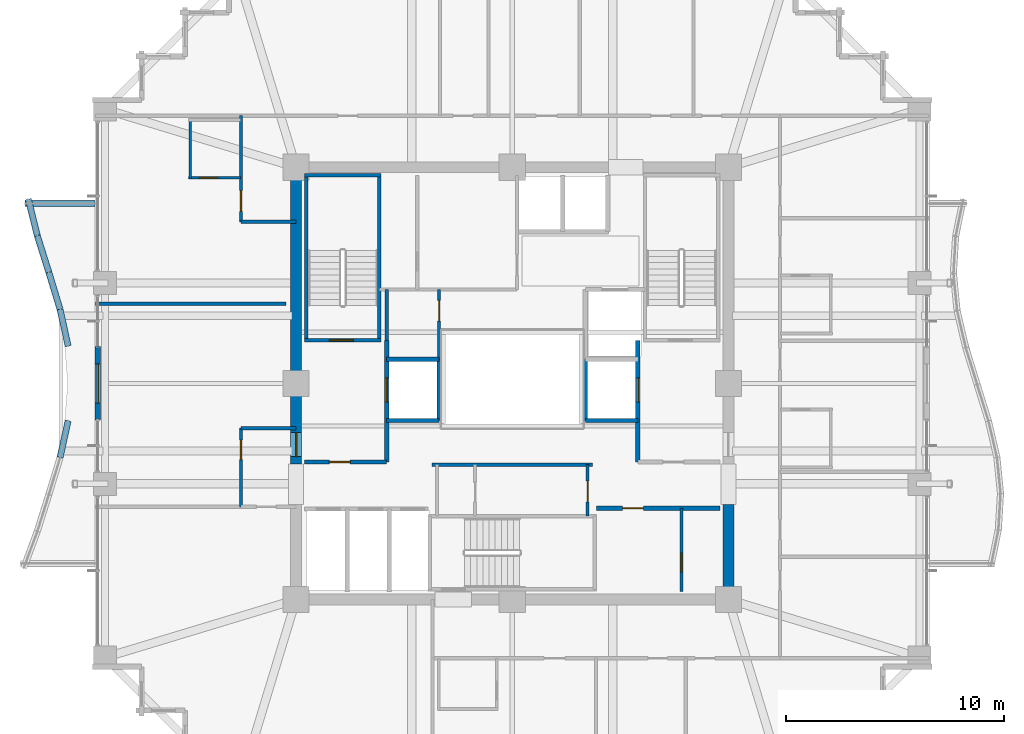
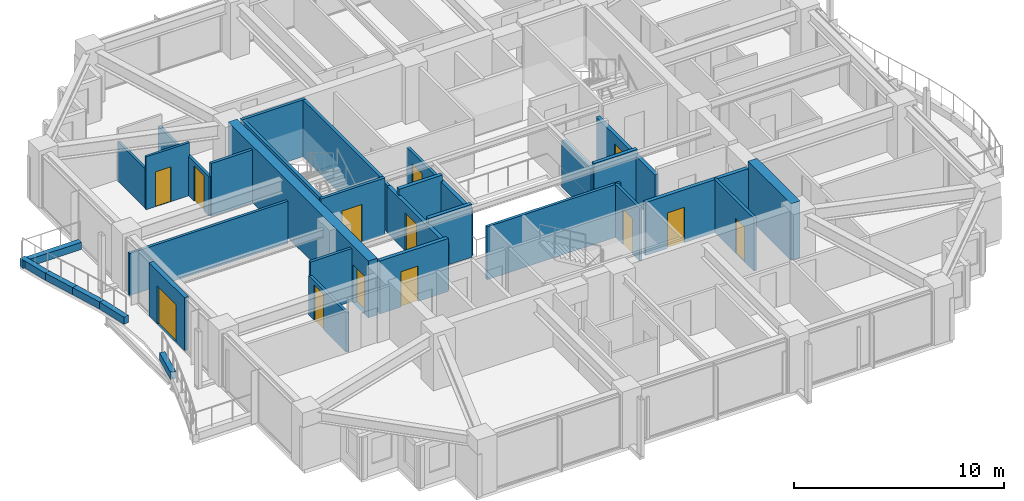
# One storey, part 30 of 35: 34 walls, 13 doors, 13 openings.
"""IFC4 building model written with IfcOpenShell, lengths in metres."""

import ifcopenshell
import ifcopenshell.guid

model = None  # the IFC model being written
_history = None  # IfcOwnerHistory: only IFC2X3 demands one
_inside = {}  # id of a spatial element -> (the spatial element, [elements in it])
_under = {}  # id of a project, library or spatial element -> (it, [spatial elements below it])
_declared = {}  # id of a project -> (the project, [libraries it declares])
_typed = {}  # id of a type object -> (the type object, [elements of that type])
_made_of = {}  # id of a material, layer set ... -> (it, [elements and type objects made of it])


def new_model(schema):
    """Start an empty IFC model of exactly this schema.

    Asked for "IFC4X3", IfcOpenShell would pick the latest addendum, in which some entities
    have other attributes; the version numbers below select the first issue.
    IFC2X3 requires an IfcOwnerHistory on every rooted entity: one is made here for all.
    """
    global model, _history
    if schema == "IFC4X3":
        model = ifcopenshell.file(schema_version=(4, 3, 0, 0))
    else:
        model = ifcopenshell.file(schema=schema)
    _inside.clear()
    _under.clear()
    _declared.clear()
    _typed.clear()
    _made_of.clear()
    _history = None
    if model.schema == "IFC2X3":
        org = make("IfcOrganization", Name="unknown")
        user = make(
            "IfcPersonAndOrganization",
            ThePerson=make("IfcPerson", FamilyName="unknown"),
            TheOrganization=org,
        )
        app = make(
            "IfcApplication",
            ApplicationDeveloper=org,
            Version="unknown",
            ApplicationFullName="unknown",
            ApplicationIdentifier="unknown",
        )
        _history = make(
            "IfcOwnerHistory",
            OwningUser=user,
            OwningApplication=app,
            ChangeAction="ADDED",
            CreationDate=0,
        )
    return model


def make(cls, **values):
    """One entity of the class cls with the attributes given. An attribute that is None is left unset."""
    return model.create_entity(
        cls, **{name: value for name, value in values.items() if value is not None}
    )


def rooted(cls, **values):
    """An entity with a GlobalId (a new one), such as an element, a storey or a relation."""
    return make(cls, GlobalId=ifcopenshell.guid.new(), OwnerHistory=_history, **values)


def si_unit(unit_type, name, prefix=None):
    """IfcSIUnit, for example si_unit("LENGTHUNIT", "METRE", prefix="MILLI")."""
    return make("IfcSIUnit", UnitType=unit_type, Prefix=prefix, Name=name)


def assignment(units):
    """IfcUnitAssignment: the units of a project."""
    return None if units is None else make("IfcUnitAssignment", Units=units)


def point(xyz):
    """IfcCartesianPoint."""
    return None if xyz is None else make("IfcCartesianPoint", Coordinates=xyz)


def direction(xyz):
    """IfcDirection."""
    return None if xyz is None else make("IfcDirection", DirectionRatios=xyz)


def frame(location, z_axis=None, x_axis=None):
    """IfcAxis2Placement3D, a coordinate frame: its origin and axes. An axis left out is left unset."""
    return make(
        "IfcAxis2Placement3D",
        Location=point(location),
        Axis=direction(z_axis),
        RefDirection=direction(x_axis),
    )


def frame_2d(location, x_axis=None):
    """IfcAxis2Placement2D, a coordinate frame in the plane: its origin and x axis."""
    return make(
        "IfcAxis2Placement2D", Location=point(location), RefDirection=direction(x_axis)
    )


def origin():
    """The frame at (0, 0, 0) with its axes left unset."""
    return frame((0.0, 0.0, 0.0))


def place(relative_to, where):
    """IfcLocalPlacement: puts the frame where relative to a parent placement (None: the world)."""
    return make(
        "IfcLocalPlacement", PlacementRelTo=relative_to, RelativePlacement=where
    )


def context(
    kind, dimensions, precision=None, world=None, true_north=None, identifier=None
):
    """IfcGeometricRepresentationContext, for example the 3D "Model" context."""
    return make(
        "IfcGeometricRepresentationContext",
        ContextIdentifier=identifier,
        ContextType=kind,
        CoordinateSpaceDimension=dimensions,
        Precision=precision,
        WorldCoordinateSystem=world,
        TrueNorth=true_north,
    )


def subcontext(parent, identifier, kind, view, scale=None):
    """IfcGeometricRepresentationSubContext, for example "Body" below "Model"."""
    return make(
        "IfcGeometricRepresentationSubContext",
        ContextIdentifier=identifier,
        ContextType=kind,
        ParentContext=parent,
        TargetScale=scale,
        TargetView=view,
    )


def project(units=None, contexts=None):
    """IfcProject with its units and contexts."""
    return rooted(
        "IfcProject",
        Name="project",
        RepresentationContexts=contexts,
        UnitsInContext=assignment(units),
    )


def spatial(cls, under=None, at=None, **own):
    """A site, building, storey or space (cls), placed at a placement, below another one or the project."""
    s = rooted(cls, ObjectPlacement=at, **own)
    if under is not None:
        _under.setdefault(under.id(), (under, []))[1].append(s)
    return s


def profile(cls, at=None, kind="AREA", **sizes):
    """A parametric profile (cls). Its sizes go by their IFC names, for example OverallWidth=200.0."""
    return make(cls, ProfileType=kind, Position=at, **sizes)


def rectangle(**sizes):
    """IfcRectangleProfileDef."""
    return profile("IfcRectangleProfileDef", **sizes)


def extrude(swept, where, along, depth):
    """IfcExtrudedAreaSolid: the profile swept, set in the frame where, extruded along a direction by depth."""
    return make(
        "IfcExtrudedAreaSolid",
        SweptArea=swept,
        Position=where,
        ExtrudedDirection=direction(along),
        Depth=depth,
    )


def shape(context_of_items, identifier, shape_type, items):
    """IfcShapeRepresentation: the items that make up one representation, for example the "Body"."""
    return make(
        "IfcShapeRepresentation",
        ContextOfItems=context_of_items,
        RepresentationIdentifier=identifier,
        RepresentationType=shape_type,
        Items=items,
    )


def material(Name=None, Category=None):
    """IfcMaterial."""
    return make("IfcMaterial", Name=Name, Category=Category)


def layer(
    of_material, thickness, ventilated=None, Name=None, Category=None, Priority=None
):
    """IfcMaterialLayer: one layer of a wall or slab, of a material (None: an air gap)."""
    return make(
        "IfcMaterialLayer",
        Material=of_material,
        LayerThickness=thickness,
        IsVentilated=ventilated,
        Name=Name,
        Category=Category,
        Priority=Priority,
    )


def layer_set(layers, Name=None):
    """IfcMaterialLayerSet."""
    return make("IfcMaterialLayerSet", MaterialLayers=layers, LayerSetName=Name)


def made_of(thing, what):
    """Note that an element or type object is made of a material, layer set ...; save() writes the relation."""
    if what is not None:
        _made_of.setdefault(what.id(), (what, []))[1].append(thing)
    return thing


def type_object(cls, material=None, **own):
    """A type object (cls), such as IfcWallType, which elements share."""
    return made_of(rooted(cls, **own), material)


def element(
    cls,
    number,
    at=None,
    inside=None,
    cuts=None,
    type_object=None,
    material=None,
    context=None,
    identifier="Body",
    shape_type=None,
    held_by="IfcProductDefinitionShape",
    body=None,
    shapes=None,
    **own,
):
    """One element of the class cls, such as IfcWall. Its Tag is "e" and its number.

    at: its placement. inside: the storey or other place that contains it. cuts: it is an
    opening in that element (IfcRelVoidsElement). A single representation is given by context,
    identifier, shape_type and body (its items); several are given by shapes. held_by: the class
    of the entity that holds the representations. save() writes the other relations.
    """
    e = rooted(cls, Tag="e%d" % number, ObjectPlacement=at, **own)
    if body is not None:
        shapes = [shape(context, identifier, shape_type, body)]
    if shapes is not None:
        e.Representation = make(held_by, Representations=shapes)
    if inside is not None:
        _inside.setdefault(inside.id(), (inside, []))[1].append(e)
    if cuts is not None:
        rooted(
            "IfcRelVoidsElement", RelatingBuildingElement=cuts, RelatedOpeningElement=e
        )
    if type_object is not None:
        _typed.setdefault(type_object.id(), (type_object, []))[1].append(e)
    return made_of(e, material)


def fill(opening, filler):
    """IfcRelFillsElement: the door or window that sits in an opening."""
    return rooted(
        "IfcRelFillsElement",
        RelatingOpeningElement=opening,
        RelatedBuildingElement=filler,
    )


def aggregate(whole, parts):
    """IfcRelAggregates: a whole, such as a stair, and the parts it consists of."""
    return rooted("IfcRelAggregates", RelatingObject=whole, RelatedObjects=parts)


def save(model, path):
    """Write the relations noted so far, then the file.

    IfcRelAggregates (storeys below a building ...), IfcRelContainedInSpatialStructure (elements
    in a storey), IfcRelDefinesByType, IfcRelAssociatesMaterial and IfcRelDeclares: one each for
    every whole, place, type object, material and project.
    """
    for whole, parts in _under.values():
        aggregate(whole, parts)
    for where, things in _inside.values():
        rooted(
            "IfcRelContainedInSpatialStructure",
            RelatedElements=things,
            RelatingStructure=where,
        )
    for kind, things in _typed.values():
        rooted("IfcRelDefinesByType", RelatedObjects=things, RelatingType=kind)
    for what, things in _made_of.values():
        rooted("IfcRelAssociatesMaterial", RelatedObjects=things, RelatingMaterial=what)
    for by, libraries in _declared.values():
        rooted("IfcRelDeclares", RelatingContext=by, RelatedDefinitions=libraries)
    model.write(path)


model = new_model("IFC4")

# Units and contexts
model_context = context("Model", 3, precision=1e-05, world=origin(), true_north=direction((0.0, 1.0)))
body_context = subcontext(model_context, "Body", "Model", "MODEL_VIEW")
ifc_project = project(units=[si_unit("LENGTHUNIT", "METRE"), si_unit("AREAUNIT", "SQUARE_METRE"), si_unit("VOLUMEUNIT", "CUBIC_METRE"), si_unit("PLANEANGLEUNIT", "RADIAN"), si_unit("MASSUNIT", "GRAM", prefix="KILO")], contexts=[model_context])

# Site, building, storey
site_placement = place(None, origin())
site = spatial("IfcSite", under=ifc_project, at=site_placement, CompositionType="ELEMENT")
building_placement = place(site_placement, origin())
building = spatial("IfcBuilding", under=site, at=building_placement, Name="Kolvaren Belvedere", CompositionType="ELEMENT")
storey_placement = place(building_placement, frame((0.0, 0.0, 115.10009765625)))
storey = spatial("IfcBuildingStorey", under=building, at=storey_placement, Name="L33", CompositionType="ELEMENT", Elevation=115.10009765625)

# Wall
ifc_material_1 = material(Name="Concrete C50/60", Category="concrete")
ifc_layer_1 = layer(ifc_material_1, 0.5)
ifc_layer_set_1 = layer_set([ifc_layer_1], Name="Concrete C50/60")
wall_type_1 = type_object("IfcWallType", Name="CW-CORE-500", PredefinedType="SHEAR", material=ifc_layer_set_1)
wall_1_placement = place(storey_placement, frame((9.89990234375, -9.64990234375, 0.0), z_axis=(0.0, 0.0, 1.0), x_axis=(0.0, 1.0, 0.0)))
element("IfcWall", 1, at=wall_1_placement, inside=storey, type_object=wall_type_1, Name="L33 East Core Shear Wall 1", PredefinedType="SHEAR", context=body_context, shape_type="SweptSolid", body=[
    extrude(rectangle(XDim=4.099853515625, YDim=0.5, at=frame_2d((2.0498046875, 0.0))), origin(), (0.0, 0.0, 1.0), 3.2998046875),
])

# Wall, opening, door
wall_2_placement = place(storey_placement, frame((-9.89990234375, -3.699951171875, 0.0), z_axis=(0.0, 0.0, 1.0), x_axis=(0.0, 1.0, 0.0)))
wall_2 = element("IfcWall", 2, at=wall_2_placement, inside=storey, type_object=wall_type_1, Name="L33 West Core Shear Wall 2", PredefinedType="SHEAR", context=body_context, shape_type="SweptSolid", body=[
    extrude(rectangle(XDim=13.349853515625, YDim=0.5, at=frame_2d((6.6748046875, 0.0))), origin(), (0.0, 0.0, 1.0), 3.2998046875),
])
opening_1_placement = place(wall_2_placement, frame((0.35009765625, 0.0, 0.0)))
opening_1 = element("IfcOpeningElement", 3, at=opening_1_placement, cuts=wall_2, Name="Opening D-FD90", PredefinedType="OPENING", context=body_context, shape_type="SweptSolid", body=[
    extrude(rectangle(XDim=1.10009765625, YDim=2.199951171875, at=frame_2d((0.550048828125, 1.10009765625))), frame((0.0, 0.260009765625, 0.0), z_axis=(0.0, -1.0, 0.0), x_axis=(1.0, 0.0, 0.0)), (0.0, 0.0, 1.0), 0.52001953125),
])
ifc_material_2 = material(Name="Painted hollow stainless steel", Category="steel")
door_type_1 = type_object("IfcDoorType", Name="DR-FD90-1100", OperationType="NOTDEFINED", PredefinedType="DOOR", material=ifc_material_2)
door_1_placement = place(opening_1_placement, origin())
door_1 = element("IfcDoor", 4, at=door_1_placement, inside=storey, type_object=door_type_1, Name="L33 West Firefighting Lobby Fire Door", OperationType="SINGLE_SWING_LEFT", OverallHeight=2.199951171875, OverallWidth=1.10009765625, PredefinedType="DOOR", context=body_context, shape_type="SweptSolid", body=[
    extrude(rectangle(XDim=1.10009765625, YDim=2.199951171875, at=frame_2d((0.550048828125, 1.10009765625))), frame((0.0, 0.02490234375, 0.0), z_axis=(0.0, -1.0, 0.0), x_axis=(1.0, 0.0, 0.0)), (0.0, 0.0, 1.0), 0.050048828125),
])
fill(opening_1, door_1)

ifc_material_3 = material(Name="Concrete C50/60", Category="concrete")
ifc_layer_2 = layer(ifc_material_3, 0.159912109375)
ifc_layer_set_2 = layer_set([ifc_layer_2], Name="Concrete C50/60")
wall_type_2 = type_object("IfcWallType", Name="CW-STAIR-160", PredefinedType="SHEAR", material=ifc_layer_set_2)
wall_3_placement = place(storey_placement, frame((-9.52001953125, 1.969970703125, 0.0), z_axis=(0.0, 0.0, 1.0), x_axis=(1.0, 0.0, 0.0)))
wall_3 = element("IfcWall", 5, at=wall_3_placement, inside=storey, type_object=wall_type_2, Name="L33 Stair ST-1 South Shear Wall", PredefinedType="SHEAR", context=body_context, shape_type="SweptSolid", body=[
    extrude(rectangle(XDim=3.52001953125, YDim=0.159912109375, at=frame_2d((1.760009765625, 0.0))), origin(), (0.0, 0.0, 1.0), 3.2998046875),
])
opening_2_placement = place(wall_3_placement, frame((1.14990234375, 0.0, 0.0)))
opening_2 = element("IfcOpeningElement", 6, at=opening_2_placement, cuts=wall_3, Name="Opening D-FD90", PredefinedType="OPENING", context=body_context, shape_type="SweptSolid", body=[
    extrude(rectangle(XDim=1.10009765625, YDim=2.199951171875, at=frame_2d((0.550048828125, 1.10009765625))), frame((0.0, 0.08984375, 0.0), z_axis=(0.0, -1.0, 0.0), x_axis=(1.0, 0.0, 0.0)), (0.0, 0.0, 1.0), 0.179931640625),
])
door_2_placement = place(opening_2_placement, origin())
door_2 = element("IfcDoor", 7, at=door_2_placement, inside=storey, type_object=door_type_1, Name="L33 Stair ST-1 Fire Door", OperationType="SINGLE_SWING_LEFT", OverallHeight=2.199951171875, OverallWidth=1.10009765625, PredefinedType="DOOR", context=body_context, shape_type="SweptSolid", body=[
    extrude(rectangle(XDim=1.10009765625, YDim=2.199951171875, at=frame_2d((0.550048828125, 1.10009765625))), frame((0.0, 0.02490234375, 0.0), z_axis=(0.0, -1.0, 0.0), x_axis=(1.0, 0.0, 0.0)), (0.0, 0.0, 1.0), 0.050048828125),
])
fill(opening_2, door_2)

# Walls
wall_4_placement = place(storey_placement, frame((-9.52001953125, 9.530029296875, 0.0), z_axis=(0.0, 0.0, 1.0), x_axis=(1.0, 0.0, 0.0)))
element("IfcWall", 8, at=wall_4_placement, inside=storey, type_object=wall_type_2, Name="L33 Stair ST-1 North Shear Wall", PredefinedType="SHEAR", context=body_context, shape_type="SweptSolid", body=[
    extrude(rectangle(XDim=3.52001953125, YDim=0.159912109375, at=frame_2d((1.760009765625, 0.0))), origin(), (0.0, 0.0, 1.0), 3.2998046875),
])
for number, where, z_axis, x_axis, name in (
    (9, (-9.429931640625, 1.969970703125, 0.0), (0.0, 0.0, 1.0), (0.0, 1.0, 0.0), "L33 Stair ST-1 West Shear Wall"),
    (10, (-6.080078125, 1.969970703125, 0.0), (0.0, 0.0, 1.0), (0.0, 1.0, 0.0), "L33 Stair ST-1 East Shear Wall"),
):
    element("IfcWall", number, at=place(storey_placement, frame(where, z_axis=z_axis, x_axis=x_axis)), inside=storey, type_object=wall_type_2, Name=name, PredefinedType="SHEAR", context=body_context, shape_type="SweptSolid", body=[
        extrude(rectangle(XDim=7.56005859375, YDim=0.159912109375, at=frame_2d((3.780029296875, 0.0))), origin(), (0.0, 0.0, 1.0), 3.2998046875),
    ])

# Wall, opening, door
ifc_material_4 = material(Name="Gypsum fire-rated partition assembly", Category="gypsum")
ifc_layer_3 = layer(ifc_material_4, 0.14990234375)
ifc_layer_set_3 = layer_set([ifc_layer_3], Name="Gypsum fire-rated partition assembly")
wall_type_3 = type_object("IfcWallType", Name="WL-CORR-150", PredefinedType="PARTITIONING", material=ifc_layer_set_3)
wall_5_placement = place(storey_placement, frame((-12.419921875, 7.39990234375, 0.0), z_axis=(0.0, 0.0, 1.0), x_axis=(0.0, 1.0, 0.0)))
wall_5 = element("IfcWall", 11, at=wall_5_placement, inside=storey, type_object=wall_type_3, Name="L33 NW Corridor End Wall", PredefinedType="PARTITIONING", context=body_context, shape_type="SweptSolid", body=[
    extrude(rectangle(XDim=4.860107421875, YDim=0.14990234375, at=frame_2d((2.43017578125, 0.0))), origin(), (0.0, 0.0, 1.0), 2.2919921875),
])
opening_3_placement = place(wall_5_placement, frame((0.48291015625, 0.0, 0.0)))
opening_3 = element("IfcOpeningElement", 12, at=opening_3_placement, cuts=wall_5, Name="Opening D-FD60", PredefinedType="OPENING", context=body_context, shape_type="SweptSolid", body=[
    extrude(rectangle(XDim=0.949951171875, YDim=2.06005859375, at=frame_2d((0.47509765625, 1.030029296875))), frame((0.0, 0.0849609375, 0.0), z_axis=(0.0, -1.0, 0.0), x_axis=(1.0, 0.0, 0.0)), (0.0, 0.0, 1.0), 0.169921875),
])
ifc_material_5 = material(Name="Acoustic white-oak fire door leaf", Category="timber")
door_type_2 = type_object("IfcDoorType", Name="DR-FD60-950", OperationType="NOTDEFINED", PredefinedType="DOOR", material=ifc_material_5)
door_3_placement = place(opening_3_placement, origin())
door_3 = element("IfcDoor", 13, at=door_3_placement, inside=storey, type_object=door_type_2, Name="L33 Botanical Hospitality Suite 3309 Entry Door", OperationType="SINGLE_SWING_LEFT", OverallHeight=2.06005859375, OverallWidth=0.949951171875, PredefinedType="DOOR", context=body_context, shape_type="SweptSolid", body=[
    extrude(rectangle(XDim=0.949951171875, YDim=2.06005859375, at=frame_2d((0.47509765625, 1.030029296875))), frame((0.0, 0.02490234375, 0.0), z_axis=(0.0, -1.0, 0.0), x_axis=(1.0, 0.0, 0.0)), (0.0, 0.0, 1.0), 0.050048828125),
])
fill(opening_3, door_3)

# Wall
wall_6_placement = place(storey_placement, frame((-12.419921875, 7.39990234375, 0.0), z_axis=(0.0, 0.0, 1.0), x_axis=(1.0, 0.0, 0.0)))
element("IfcWall", 14, at=wall_6_placement, inside=storey, type_object=wall_type_3, Name="L33 NW Core Closure Wall", PredefinedType="PARTITIONING", context=body_context, shape_type="SweptSolid", body=[
    extrude(rectangle(XDim=2.52001953125, YDim=0.14990234375, at=frame_2d((1.260009765625, 0.0))), origin(), (0.0, 0.0, 1.0), 3.079833984375),
])

# Wall, opening, door
wall_7_placement = place(storey_placement, frame((-12.419921875, -5.64990234375, 0.0), z_axis=(0.0, 0.0, 1.0), x_axis=(0.0, 1.0, 0.0)))
wall_7 = element("IfcWall", 15, at=wall_7_placement, inside=storey, type_object=wall_type_3, Name="L33 West FSAE Pocket Wall", PredefinedType="PARTITIONING", context=body_context, shape_type="SweptSolid", body=[
    extrude(rectangle(XDim=3.599853515625, YDim=0.14990234375, at=frame_2d((1.7998046875, 0.0))), origin(), (0.0, 0.0, 1.0), 2.2919921875),
])
opening_4_placement = place(wall_7_placement, frame((2.15625, 0.0, 0.0)))
opening_4 = element("IfcOpeningElement", 16, at=opening_4_placement, cuts=wall_7, Name="Opening D-INT90", PredefinedType="OPENING", context=body_context, shape_type="SweptSolid", body=[
    extrude(rectangle(XDim=0.89990234375, YDim=2.06005859375, at=frame_2d((0.449951171875, 1.030029296875))), frame((0.0, 0.0849609375, 0.0), z_axis=(0.0, -1.0, 0.0), x_axis=(1.0, 0.0, 0.0)), (0.0, 0.0, 1.0), 0.169921875),
])
ifc_material_6 = material(Name="Stained Pacific white oak", Category="timber")
door_type_3 = type_object("IfcDoorType", Name="DR-INT-900", OperationType="NOTDEFINED", PredefinedType="DOOR", material=ifc_material_6)
door_4_placement = place(opening_4_placement, origin())
door_4 = element("IfcDoor", 17, at=door_4_placement, inside=storey, type_object=door_type_3, Name="L33 Lounge 3310 Door", OperationType="SINGLE_SWING_RIGHT", OverallHeight=2.06005859375, OverallWidth=0.89990234375, PredefinedType="DOOR", context=body_context, shape_type="SweptSolid", body=[
    extrude(rectangle(XDim=0.89990234375, YDim=2.06005859375, at=frame_2d((0.449951171875, 1.030029296875))), frame((0.0, 0.02490234375, 0.0), z_axis=(0.0, -1.0, 0.0), x_axis=(1.0, 0.0, 0.0)), (0.0, 0.0, 1.0), 0.050048828125),
])
fill(opening_4, door_4)

# Wall
wall_8_placement = place(storey_placement, frame((-12.419921875, -2.050048828125, 0.0), z_axis=(0.0, 0.0, 1.0), x_axis=(1.0, 0.0, 0.0)))
element("IfcWall", 18, at=wall_8_placement, inside=storey, type_object=wall_type_3, Name="L33 West Pocket North Closure Wall", PredefinedType="PARTITIONING", context=body_context, shape_type="SweptSolid", body=[
    extrude(rectangle(XDim=2.52001953125, YDim=0.14990234375, at=frame_2d((1.260009765625, 0.0))), origin(), (0.0, 0.0, 1.0), 3.079833984375),
])

# Wall, opening, door
ifc_material_7 = material(Name="Insulated pale-metal facade wall assembly", Category="aluminium")
ifc_layer_4 = layer(ifc_material_7, 0.239990234375)
ifc_layer_set_4 = layer_set([ifc_layer_4], Name="Insulated pale-metal facade wall assembly")
wall_type_4 = type_object("IfcWallType", Name="WL-EXT-240", PredefinedType="STANDARD", material=ifc_layer_set_4)
wall_9_placement = place(storey_placement, frame((-18.97998046875, -1.679931640625, 0.0), z_axis=(0.0, 0.0, 1.0), x_axis=(0.0, 1.0, 0.0)))
wall_9 = element("IfcWall", 19, at=wall_9_placement, inside=storey, type_object=wall_type_4, Name="L33 West Terrace Portal Wall", PredefinedType="STANDARD", context=body_context, shape_type="SweptSolid", body=[
    extrude(rectangle(XDim=3.35986328125, YDim=0.239990234375, at=frame_2d((1.679931640625, 0.0))), origin(), (0.0, 0.0, 1.0), 3.079833984375),
])
opening_5_placement = place(wall_9_placement, frame((0.780029296875, 0.0, 0.0)))
opening_5 = element("IfcOpeningElement", 20, at=opening_5_placement, cuts=wall_9, Name="Opening DB-1800", PredefinedType="OPENING", context=body_context, shape_type="SweptSolid", body=[
    extrude(rectangle(XDim=1.800048828125, YDim=2.199951171875, at=frame_2d((0.89990234375, 1.10009765625))), frame((0.0, 0.1298828125, 0.0), z_axis=(0.0, -1.0, 0.0), x_axis=(1.0, 0.0, 0.0)), (0.0, 0.0, 1.0), 0.260009765625),
])
ifc_material_8 = material(Name="Thermally broken pale-metal aluminium & low-iron glass", Category="aluminium")
door_type_4 = type_object("IfcDoorType", Name="DR-BAL-1800", OperationType="DOUBLE_DOOR_SLIDING", PredefinedType="DOOR", material=ifc_material_8)
door_5_placement = place(opening_5_placement, origin())
door_5 = element("IfcDoor", 21, at=door_5_placement, inside=storey, type_object=door_type_4, Name="L33 West Planted Terrace Sliding Door", OperationType="DOUBLE_DOOR_SLIDING", OverallHeight=2.199951171875, OverallWidth=1.800048828125, PredefinedType="DOOR", context=body_context, shape_type="SweptSolid", body=[
    extrude(rectangle(XDim=1.800048828125, YDim=2.199951171875, at=frame_2d((0.89990234375, 1.10009765625))), frame((0.0, 0.02490234375, 0.0), z_axis=(0.0, -1.0, 0.0), x_axis=(1.0, 0.0, 0.0)), (0.0, 0.0, 1.0), 0.050048828125),
])
fill(opening_5, door_5)

ifc_material_9 = material(Name="Gypsum acoustic partition assembly", Category="gypsum")
ifc_layer_5 = layer(ifc_material_9, 0.14990234375)
ifc_layer_set_5 = layer_set([ifc_layer_5], Name="Gypsum acoustic partition assembly")
wall_type_5 = type_object("IfcWallType", Name="WL-PART-150", PredefinedType="PARTITIONING", material=ifc_layer_set_5)
wall_10_placement = place(storey_placement, frame((7.75, -9.52001953125, 0.0), z_axis=(0.0, 0.0, 1.0), x_axis=(0.0, 1.0, 0.0)))
wall_10 = element("IfcWall", 22, at=wall_10_placement, inside=storey, type_object=wall_type_5, Name="L33 SE Core Asymmetric Divider", PredefinedType="PARTITIONING", context=body_context, shape_type="SweptSolid", body=[
    extrude(rectangle(XDim=3.800048828125, YDim=0.14990234375, at=frame_2d((1.89990234375, 0.0))), origin(), (0.0, 0.0, 1.0), 3.079833984375),
])
opening_6_placement = place(wall_10_placement, frame((0.89990234375, 0.0, 0.0)))
opening_6 = element("IfcOpeningElement", 23, at=opening_6_placement, cuts=wall_10, Name="Opening D-INT85", PredefinedType="OPENING", context=body_context, shape_type="SweptSolid", body=[
    extrude(rectangle(XDim=0.85009765625, YDim=2.030029296875, at=frame_2d((0.425048828125, 1.01513671875))), frame((0.0, 0.0849609375, 0.0), z_axis=(0.0, -1.0, 0.0), x_axis=(1.0, 0.0, 0.0)), (0.0, 0.0, 1.0), 0.169921875),
])
ifc_material_10 = material(Name="Stained Pacific white oak", Category="timber")
door_type_5 = type_object("IfcDoorType", Name="DR-INT-850", OperationType="NOTDEFINED", PredefinedType="DOOR", material=ifc_material_10)
door_6_placement = place(opening_6_placement, origin())
door_6 = element("IfcDoor", 24, at=door_6_placement, inside=storey, type_object=door_type_5, Name="L33 SE Janitor Door", OperationType="SINGLE_SWING_LEFT", OverallHeight=2.030029296875, OverallWidth=0.85009765625, PredefinedType="DOOR", context=body_context, shape_type="SweptSolid", body=[
    extrude(rectangle(XDim=0.85009765625, YDim=2.030029296875, at=frame_2d((0.425048828125, 1.01513671875))), frame((0.0, 0.02490234375, 0.0), z_axis=(0.0, -1.0, 0.0), x_axis=(1.0, 0.0, 0.0)), (0.0, 0.0, 1.0), 0.050048828125),
])
fill(opening_6, door_6)

# Wall
wall_11_placement = place(storey_placement, frame((-3.679931640625, -3.719970703125, 0.0), z_axis=(0.0, 0.0, 1.0), x_axis=(1.0, 0.0, 0.0)))
element("IfcWall", 25, at=wall_11_placement, inside=storey, type_object=wall_type_5, Name="L33 South Core Service North Wall", PredefinedType="PARTITIONING", context=body_context, shape_type="SweptSolid", body=[
    extrude(rectangle(XDim=7.35986328125, YDim=0.14990234375, at=frame_2d((3.679931640625, 0.0))), origin(), (0.0, 0.0, 1.0), 3.079833984375),
])

# Wall, opening, door
wall_12_placement = place(storey_placement, frame((3.449951171875, -6.080078125, 0.0), z_axis=(0.0, 0.0, 1.0), x_axis=(0.0, 1.0, 0.0)))
wall_12 = element("IfcWall", 26, at=wall_12_placement, inside=storey, type_object=wall_type_5, Name="L33 South Core Service East Wall", PredefinedType="PARTITIONING", context=body_context, shape_type="SweptSolid", body=[
    extrude(rectangle(XDim=2.360107421875, YDim=0.14990234375, at=frame_2d((1.18017578125, 0.0))), origin(), (0.0, 0.0, 1.0), 3.079833984375),
])
opening_7_placement = place(wall_12_placement, frame((0.64990234375, 0.0, 0.0)))
opening_7 = element("IfcOpeningElement", 27, at=opening_7_placement, cuts=wall_12, Name="Opening D-FD60", PredefinedType="OPENING", context=body_context, shape_type="SweptSolid", body=[
    extrude(rectangle(XDim=0.949951171875, YDim=2.06005859375, at=frame_2d((0.47509765625, 1.030029296875))), frame((0.0, 0.0849609375, 0.0), z_axis=(0.0, -1.0, 0.0), x_axis=(1.0, 0.0, 0.0)), (0.0, 0.0, 1.0), 0.169921875),
])
door_7_placement = place(opening_7_placement, origin())
door_7 = element("IfcDoor", 28, at=door_7_placement, inside=storey, type_object=door_type_2, Name="L33 Core Service Room Door", OperationType="SINGLE_SWING_LEFT", OverallHeight=2.06005859375, OverallWidth=0.949951171875, PredefinedType="DOOR", context=body_context, shape_type="SweptSolid", body=[
    extrude(rectangle(XDim=0.949951171875, YDim=2.06005859375, at=frame_2d((0.47509765625, 1.030029296875))), frame((0.0, 0.02490234375, 0.0), z_axis=(0.0, -1.0, 0.0), x_axis=(1.0, 0.0, 0.0)), (0.0, 0.0, 1.0), 0.050048828125),
])
fill(opening_7, door_7)

wall_13_placement = place(storey_placement, frame((-3.35009765625, 1.10009765625, 0.0), z_axis=(0.0, 0.0, 1.0), x_axis=(0.0, 1.0, 0.0)))
wall_13 = element("IfcWall", 29, at=wall_13_placement, inside=storey, type_object=wall_type_5, Name="L33 NW Service Room East Wall", PredefinedType="PARTITIONING", context=body_context, shape_type="SweptSolid", body=[
    extrude(rectangle(XDim=3.199951171875, YDim=0.14990234375, at=frame_2d((1.60009765625, 0.0))), origin(), (0.0, 0.0, 1.0), 2.71484375),
])
opening_8_placement = place(wall_13_placement, frame((1.75, 0.0, 0.0)))
opening_8 = element("IfcOpeningElement", 30, at=opening_8_placement, cuts=wall_13, Name="Opening D-FD60", PredefinedType="OPENING", context=body_context, shape_type="SweptSolid", body=[
    extrude(rectangle(XDim=0.949951171875, YDim=2.06005859375, at=frame_2d((0.47509765625, 1.030029296875))), frame((0.0, 0.0849609375, 0.0), z_axis=(0.0, -1.0, 0.0), x_axis=(1.0, 0.0, 0.0)), (0.0, 0.0, 1.0), 0.169921875),
])
door_8_placement = place(opening_8_placement, origin())
door_8 = element("IfcDoor", 31, at=door_8_placement, inside=storey, type_object=door_type_2, Name="L33 NW Core Store Door", OperationType="SINGLE_SWING_LEFT", OverallHeight=2.06005859375, OverallWidth=0.949951171875, PredefinedType="DOOR", context=body_context, shape_type="SweptSolid", body=[
    extrude(rectangle(XDim=0.949951171875, YDim=2.06005859375, at=frame_2d((0.47509765625, 1.030029296875))), frame((0.0, 0.02490234375, 0.0), z_axis=(0.0, -1.0, 0.0), x_axis=(1.0, 0.0, 0.0)), (0.0, 0.0, 1.0), 0.050048828125),
])
fill(opening_8, door_8)

# Walls
wall_14_placement = place(storey_placement, frame((-5.75, 1.969970703125, 0.0), z_axis=(0.0, 0.0, 1.0), x_axis=(0.0, 1.0, 0.0)))
element("IfcWall", 32, at=wall_14_placement, inside=storey, type_object=wall_type_5, Name="L33 NW Service Room West Wall", PredefinedType="PARTITIONING", context=body_context, shape_type="SweptSolid", body=[
    extrude(rectangle(XDim=2.330078125, YDim=0.14990234375, at=frame_2d((1.1650390625, 0.0))), origin(), (0.0, 0.0, 1.0), 2.71484375),
])
wall_15_placement = place(storey_placement, frame((-19.080078125, 3.64990234375, 0.0), z_axis=(0.0, 0.0, 1.0), x_axis=(1.0, 0.0, 0.0)))
element("IfcWall", 33, at=wall_15_placement, inside=storey, type_object=wall_type_5, Name="L33 West Upper Suite Divider", PredefinedType="PARTITIONING", context=body_context, shape_type="SweptSolid", body=[
    extrude(rectangle(XDim=8.719970703125, YDim=0.14990234375, at=frame_2d((4.35986328125, 0.0))), origin(), (0.0, 0.0, 1.0), 2.448974609375),
])
ifc_material_11 = material(Name="Precast concrete C40/50", Category="concrete")
ifc_layer_6 = layer(ifc_material_11, 0.300048828125)
ifc_layer_set_6 = layer_set([ifc_layer_6], Name="Precast concrete C40/50")
wall_type_6 = type_object("IfcWallType", Name="WL-PLANTER-300", PredefinedType="PARAPET", material=ifc_layer_set_6)
wall_16_placement = place(storey_placement, frame((-22.158203125, 8.438232421875, -0.0400390625), z_axis=(0.0, 0.0, 1.0), x_axis=(0.239180748277, -0.970975061293, 0.0)))
element("IfcWall", 34, at=wall_16_placement, inside=storey, type_object=wall_type_6, Name="L33 Precast Structural Planter Wall BAL-W-1", PredefinedType="PARAPET", context=body_context, shape_type="SweptSolid", body=[
    extrude(rectangle(XDim=1.730224609375, YDim=0.280029296875, at=frame_2d((0.865234375, 0.0))), origin(), (0.0, 0.0, 1.0), 0.419921875),
])
wall_17_placement = place(storey_placement, frame((-21.747314453125, 6.767822265625, -0.0400390625), z_axis=(0.0, 0.0, 1.0), x_axis=(0.299750886874, -0.95401750813, 0.0)))
element("IfcWall", 35, at=wall_17_placement, inside=storey, type_object=wall_type_6, Name="L33 Precast Structural Planter Wall BAL-W-2", PredefinedType="PARAPET", context=body_context, shape_type="SweptSolid", body=[
    extrude(rectangle(XDim=1.760986328125, YDim=0.280029296875, at=frame_2d((0.88037109375, 0.0))), origin(), (0.0, 0.0, 1.0), 0.419921875),
])
wall_18_placement = place(storey_placement, frame((-21.218994140625, 5.086669921875, -0.0400390625), z_axis=(0.0, 0.0, 1.0), x_axis=(0.290840734999, -0.956771481005, 0.0)))
element("IfcWall", 36, at=wall_18_placement, inside=storey, type_object=wall_type_6, Name="L33 Precast Structural Planter Wall BAL-W-3", PredefinedType="PARAPET", context=body_context, shape_type="SweptSolid", body=[
    extrude(rectangle(XDim=1.756103515625, YDim=0.280029296875, at=frame_2d((0.8779296875, 0.0))), origin(), (0.0, 0.0, 1.0), 0.419921875),
])
for number, where, z_axis, x_axis, name in (
    (37, (-20.705078125, 3.394287109375, -0.0400390625), (0.0, 0.0, 1.0), (0.213773077423, -0.976883345835, 0.0), "L33 Precast Structural Planter Wall BAL-W-4"),
    (38, (-20.33740234375, -1.714111328125, -0.0400390625), (0.0, 0.0, 1.0), (-0.213773077423, -0.976883345835, 0.0), "L33 Precast Structural Planter Wall BAL-W-7"),
):
    element("IfcWall", number, at=place(storey_placement, frame(where, z_axis=z_axis, x_axis=x_axis)), inside=storey, type_object=wall_type_6, Name=name, PredefinedType="PARAPET", context=body_context, shape_type="SweptSolid", body=[
        extrude(rectangle(XDim=1.719970703125, YDim=0.280029296875, at=frame_2d((0.85986328125, 0.0))), origin(), (0.0, 0.0, 1.0), 0.419921875),
    ])
wall_19_placement = place(storey_placement, frame((-19.10009765625, 8.239990234375, -0.0400390625), z_axis=(0.0, 0.0, 1.0), x_axis=(-1.0, 0.0, 0.0)))
element("IfcWall", 39, at=wall_19_placement, inside=storey, type_object=wall_type_6, Name="L33 Precast Structural Planter Wall BAL-W-22", PredefinedType="PARAPET", context=body_context, shape_type="SweptSolid", body=[
    extrude(rectangle(XDim=3.213623046875, YDim=0.280029296875, at=frame_2d((1.60693359375, 0.0))), origin(), (0.0, 0.0, 1.0), 0.419921875),
])

# Wall, opening, door
ifc_material_12 = material(Name="Concrete C50/60", Category="concrete")
ifc_layer_7 = layer(ifc_material_12, 0.199951171875)
ifc_layer_set_7 = layer_set([ifc_layer_7], Name="Concrete C50/60")
wall_type_7 = type_object("IfcWallType", Name="WL-SHAFT-200", PredefinedType="SOLIDWALL", material=ifc_layer_set_7)
wall_20_placement = place(storey_placement, frame((-9.52001953125, -3.60009765625, 0.0), z_axis=(0.0, 0.0, 1.0), x_axis=(1.0, 0.0, 0.0)))
wall_20 = element("IfcWall", 40, at=wall_20_placement, inside=storey, type_object=wall_type_7, Name="L33 West FSAE Lobby South Wall", PredefinedType="SOLIDWALL", context=body_context, shape_type="SweptSolid", body=[
    extrude(rectangle(XDim=3.77001953125, YDim=0.199951171875, at=frame_2d((1.885009765625, 0.0))), origin(), (0.0, 0.0, 1.0), 3.079833984375),
])
opening_9_placement = place(wall_20_placement, frame((1.14990234375, 0.0, 0.0)))
opening_9 = element("IfcOpeningElement", 41, at=opening_9_placement, cuts=wall_20, Name="Opening D-FD60", PredefinedType="OPENING", context=body_context, shape_type="SweptSolid", body=[
    extrude(rectangle(XDim=0.949951171875, YDim=2.06005859375, at=frame_2d((0.47509765625, 1.030029296875))), frame((0.0, 0.10986328125, 0.0), z_axis=(0.0, -1.0, 0.0), x_axis=(1.0, 0.0, 0.0)), (0.0, 0.0, 1.0), 0.219970703125),
])
door_9_placement = place(opening_9_placement, origin())
door_9 = element("IfcDoor", 42, at=door_9_placement, inside=storey, type_object=door_type_2, Name="L33 Mid-Rise Lift Lobby Fire Door", OperationType="SINGLE_SWING_LEFT", OverallHeight=2.06005859375, OverallWidth=0.949951171875, PredefinedType="DOOR", context=body_context, shape_type="SweptSolid", body=[
    extrude(rectangle(XDim=0.949951171875, YDim=2.06005859375, at=frame_2d((0.47509765625, 1.030029296875))), frame((0.0, 0.02490234375, 0.0), z_axis=(0.0, -1.0, 0.0), x_axis=(1.0, 0.0, 0.0)), (0.0, 0.0, 1.0), 0.050048828125),
])
fill(opening_9, door_9)

wall_21_placement = place(storey_placement, frame((-5.75, -3.60009765625, 0.0), z_axis=(0.0, 0.0, 1.0), x_axis=(0.0, 1.0, 0.0)))
wall_21 = element("IfcWall", 43, at=wall_21_placement, inside=storey, type_object=wall_type_7, Name="L33 FSAE FS1 Landing Wall", PredefinedType="SOLIDWALL", context=body_context, shape_type="SweptSolid", body=[
    extrude(rectangle(XDim=5.570068359375, YDim=0.199951171875, at=frame_2d((2.78515625, 0.0))), origin(), (0.0, 0.0, 1.0), 2.71484375),
])
opening_10_placement = place(wall_21_placement, frame((2.75, 0.0, 0.0)))
opening_10 = element("IfcOpeningElement", 44, at=opening_10_placement, cuts=wall_21, Name="Opening LD-11", PredefinedType="OPENING", context=body_context, shape_type="SweptSolid", body=[
    extrude(rectangle(XDim=1.10009765625, YDim=2.199951171875, at=frame_2d((0.550048828125, 1.10009765625))), frame((0.0, 0.10986328125, 0.0), z_axis=(0.0, -1.0, 0.0), x_axis=(1.0, 0.0, 0.0)), (0.0, 0.0, 1.0), 0.219970703125),
])
ifc_material_13 = material(Name="Brushed stainless steel", Category="steel")
door_type_6 = type_object("IfcDoorType", Name="DR-LIFT-1100", OperationType="DOUBLE_DOOR_SLIDING", PredefinedType="DOOR", material=ifc_material_13)
door_10_placement = place(opening_10_placement, origin())
door_10 = element("IfcDoor", 45, at=door_10_placement, inside=storey, type_object=door_type_6, Name="L33 Firefighting Lift FS1 Landing Door", OperationType="DOUBLE_DOOR_SLIDING", OverallHeight=2.199951171875, OverallWidth=1.10009765625, PredefinedType="DOOR", context=body_context, shape_type="SweptSolid", body=[
    extrude(rectangle(XDim=1.10009765625, YDim=2.199951171875, at=frame_2d((0.550048828125, 1.10009765625))), frame((0.0, 0.02490234375, 0.0), z_axis=(0.0, -1.0, 0.0), x_axis=(1.0, 0.0, 0.0)), (0.0, 0.0, 1.0), 0.050048828125),
])
fill(opening_10, door_10)

# Walls
wall_22_placement = place(storey_placement, frame((-3.35009765625, -1.699951171875, 0.0), z_axis=(0.0, 0.0, 1.0), x_axis=(0.0, 1.0, 0.0)))
element("IfcWall", 46, at=wall_22_placement, inside=storey, type_object=wall_type_7, Name="L33 FSAE FS1 Back Wall", PredefinedType="SOLIDWALL", context=body_context, shape_type="SweptSolid", body=[
    extrude(rectangle(XDim=2.800048828125, YDim=0.199951171875, at=frame_2d((1.39990234375, 0.0))), origin(), (0.0, 0.0, 1.0), 2.71484375),
])
for number, where, z_axis, x_axis, name in (
    (47, (-5.75, -1.699951171875, 0.0), (0.0, 0.0, 1.0), (1.0, 0.0, 0.0), "L33 FSAE FS1 South Wall"),
    (48, (-5.75, 1.10009765625, 0.0), (0.0, 0.0, 1.0), (1.0, 0.0, 0.0), "L33 FSAE FS1 North Wall"),
):
    element("IfcWall", number, at=place(storey_placement, frame(where, z_axis=z_axis, x_axis=x_axis)), inside=storey, type_object=wall_type_7, Name=name, PredefinedType="SOLIDWALL", context=body_context, shape_type="SweptSolid", body=[
        extrude(rectangle(XDim=2.39990234375, YDim=0.199951171875, at=frame_2d((1.199951171875, 0.0))), origin(), (0.0, 0.0, 1.0), 3.079833984375),
    ])

# Wall, opening, door
wall_23_placement = place(storey_placement, frame((5.75, -3.60009765625, 0.0), z_axis=(0.0, 0.0, 1.0), x_axis=(0.0, 1.0, 0.0)))
wall_23 = element("IfcWall", 49, at=wall_23_placement, inside=storey, type_object=wall_type_7, Name="L33 FSAE FS2 Landing Wall", PredefinedType="SOLIDWALL", context=body_context, shape_type="SweptSolid", body=[
    extrude(rectangle(XDim=5.570068359375, YDim=0.199951171875, at=frame_2d((2.78515625, 0.0))), origin(), (0.0, 0.0, 1.0), 2.71484375),
])
opening_11_placement = place(wall_23_placement, frame((2.75, 0.0, 0.0)))
opening_11 = element("IfcOpeningElement", 50, at=opening_11_placement, cuts=wall_23, Name="Opening LD-11", PredefinedType="OPENING", context=body_context, shape_type="SweptSolid", body=[
    extrude(rectangle(XDim=1.10009765625, YDim=2.199951171875, at=frame_2d((0.550048828125, 1.10009765625))), frame((0.0, 0.10986328125, 0.0), z_axis=(0.0, -1.0, 0.0), x_axis=(1.0, 0.0, 0.0)), (0.0, 0.0, 1.0), 0.219970703125),
])
door_11_placement = place(opening_11_placement, origin())
door_11 = element("IfcDoor", 51, at=door_11_placement, inside=storey, type_object=door_type_6, Name="L33 Firefighting Lift FS2 Landing Door", OperationType="DOUBLE_DOOR_SLIDING", OverallHeight=2.199951171875, OverallWidth=1.10009765625, PredefinedType="DOOR", context=body_context, shape_type="SweptSolid", body=[
    extrude(rectangle(XDim=1.10009765625, YDim=2.199951171875, at=frame_2d((0.550048828125, 1.10009765625))), frame((0.0, 0.02490234375, 0.0), z_axis=(0.0, -1.0, 0.0), x_axis=(1.0, 0.0, 0.0)), (0.0, 0.0, 1.0), 0.050048828125),
])
fill(opening_11, door_11)

# Walls
wall_24_placement = place(storey_placement, frame((3.35009765625, -1.699951171875, 0.0), z_axis=(0.0, 0.0, 1.0), x_axis=(0.0, 1.0, 0.0)))
element("IfcWall", 52, at=wall_24_placement, inside=storey, type_object=wall_type_7, Name="L33 FSAE FS2 Back Wall", PredefinedType="SOLIDWALL", context=body_context, shape_type="SweptSolid", body=[
    extrude(rectangle(XDim=2.800048828125, YDim=0.199951171875, at=frame_2d((1.39990234375, 0.0))), origin(), (0.0, 0.0, 1.0), 2.71484375),
])
wall_25_placement = place(storey_placement, frame((3.35009765625, -1.699951171875, 0.0), z_axis=(0.0, 0.0, 1.0), x_axis=(1.0, 0.0, 0.0)))
element("IfcWall", 53, at=wall_25_placement, inside=storey, type_object=wall_type_7, Name="L33 FSAE FS2 South Wall", PredefinedType="SOLIDWALL", context=body_context, shape_type="SweptSolid", body=[
    extrude(rectangle(XDim=2.39990234375, YDim=0.199951171875, at=frame_2d((1.199951171875, 0.0))), origin(), (0.0, 0.0, 1.0), 3.079833984375),
])

# Wall, opening, door
wall_26_placement = place(storey_placement, frame((3.860107421875, -5.719970703125, 0.0), z_axis=(0.0, 0.0, 1.0), x_axis=(1.0, 0.0, 0.0)))
wall_26 = element("IfcWall", 54, at=wall_26_placement, inside=storey, type_object=wall_type_7, Name="L33 SE Core Distribution Wall", PredefinedType="SOLIDWALL", context=body_context, shape_type="SweptSolid", body=[
    extrude(rectangle(XDim=5.659912109375, YDim=0.199951171875, at=frame_2d((2.830078125, 0.0))), origin(), (0.0, 0.0, 1.0), 3.079833984375),
])
opening_12_placement = place(wall_26_placement, frame((1.199951171875, 0.0, 0.0)))
opening_12 = element("IfcOpeningElement", 55, at=opening_12_placement, cuts=wall_26, Name="Opening D-FD60", PredefinedType="OPENING", context=body_context, shape_type="SweptSolid", body=[
    extrude(rectangle(XDim=0.949951171875, YDim=2.06005859375, at=frame_2d((0.47509765625, 1.030029296875))), frame((0.0, 0.10986328125, 0.0), z_axis=(0.0, -1.0, 0.0), x_axis=(1.0, 0.0, 0.0)), (0.0, 0.0, 1.0), 0.219970703125),
])
door_12_placement = place(opening_12_placement, origin())
door_12 = element("IfcDoor", 56, at=door_12_placement, inside=storey, type_object=door_type_2, Name="L33 SE BMS Store Door", OperationType="SINGLE_SWING_RIGHT", OverallHeight=2.06005859375, OverallWidth=0.949951171875, PredefinedType="DOOR", context=body_context, shape_type="SweptSolid", body=[
    extrude(rectangle(XDim=0.949951171875, YDim=2.06005859375, at=frame_2d((0.47509765625, 1.030029296875))), frame((0.0, 0.02490234375, 0.0), z_axis=(0.0, -1.0, 0.0), x_axis=(1.0, 0.0, 0.0)), (0.0, 0.0, 1.0), 0.050048828125),
])
fill(opening_12, door_12)

ifc_material_14 = material(Name="Moisture-resistant gypsum partition", Category="gypsum")
ifc_layer_8 = layer(ifc_material_14, 0.125)
ifc_layer_set_8 = layer_set([ifc_layer_8], Name="Moisture-resistant gypsum partition")
wall_type_8 = type_object("IfcWallType", Name="WL-WET-125", PredefinedType="PARTITIONING", material=ifc_layer_set_8)
wall_27_placement = place(storey_placement, frame((-14.824951171875, 9.4150390625, 0.0), z_axis=(0.0, 0.0, 1.0), x_axis=(1.0, 0.0, 0.0)))
wall_27 = element("IfcWall", 57, at=wall_27_placement, inside=storey, type_object=wall_type_8, Name="L33 Bathroom Partition PW-L33-BTH-9-N", PredefinedType="PARTITIONING", context=body_context, shape_type="SweptSolid", body=[
    extrude(rectangle(XDim=2.389892578125, YDim=0.125, at=frame_2d((1.19482421875, 0.0))), origin(), (0.0, 0.0, 1.0), 3.079833984375),
])
opening_13_placement = place(wall_27_placement, frame((0.5, 0.0, 0.0)))
opening_13 = element("IfcOpeningElement", 58, at=opening_13_placement, cuts=wall_27, Name="Opening D-BTH85", PredefinedType="OPENING", context=body_context, shape_type="SweptSolid", body=[
    extrude(rectangle(XDim=0.85009765625, YDim=2.030029296875, at=frame_2d((0.425048828125, 1.01513671875))), frame((0.0, 0.072509765625, 0.0), z_axis=(0.0, -1.0, 0.0), x_axis=(1.0, 0.0, 0.0)), (0.0, 0.0, 1.0), 0.14501953125),
])
ifc_material_15 = material(Name="Moisture-sealed Pacific white oak", Category="timber")
door_type_7 = type_object("IfcDoorType", Name="DR-BATH-850", OperationType="NOTDEFINED", PredefinedType="DOOR", material=ifc_material_15)
door_13_placement = place(opening_13_placement, origin())
door_13 = element("IfcDoor", 59, at=door_13_placement, inside=storey, type_object=door_type_7, Name="L33 En-Suite Bathroom 3309 Door", OperationType="SINGLE_SWING_RIGHT", OverallHeight=2.030029296875, OverallWidth=0.85009765625, PredefinedType="DOOR", context=body_context, shape_type="SweptSolid", body=[
    extrude(rectangle(XDim=0.85009765625, YDim=2.030029296875, at=frame_2d((0.425048828125, 1.01513671875))), frame((0.0, 0.02490234375, 0.0), z_axis=(0.0, -1.0, 0.0), x_axis=(1.0, 0.0, 0.0)), (0.0, 0.0, 1.0), 0.050048828125),
])
fill(opening_13, door_13)

# Wall
wall_28_placement = place(storey_placement, frame((-14.7451171875, 9.35498046875, 0.0), z_axis=(0.0, 0.0, 1.0), x_axis=(0.0, 1.0, 0.0)))
element("IfcWall", 60, at=wall_28_placement, inside=storey, type_object=wall_type_8, Name="L33 Bathroom Partition PW-L33-BTH-9-V", PredefinedType="PARTITIONING", context=body_context, shape_type="SweptSolid", body=[
    extrude(rectangle(XDim=2.77001953125, YDim=0.125, at=frame_2d((1.385009765625, 0.0))), origin(), (0.0, 0.0, 1.0), 2.2919921875),
])

save(model, "model.ifc")
